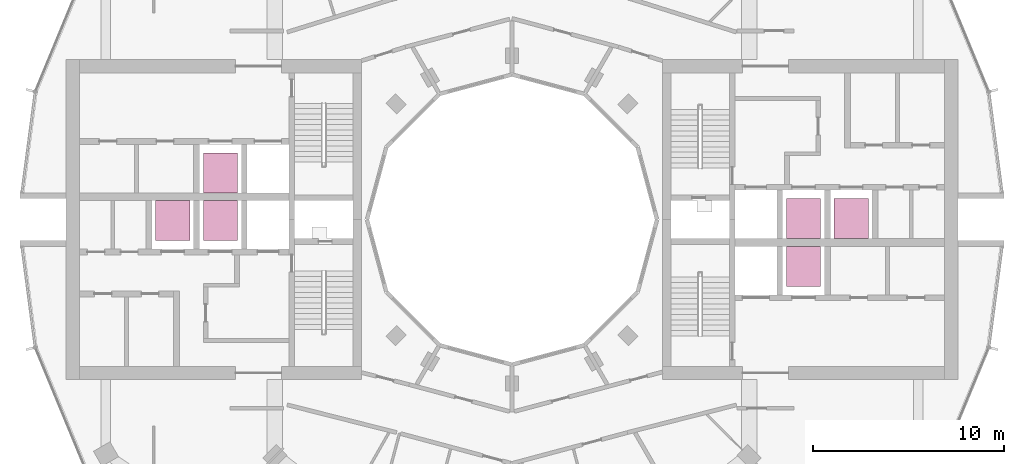
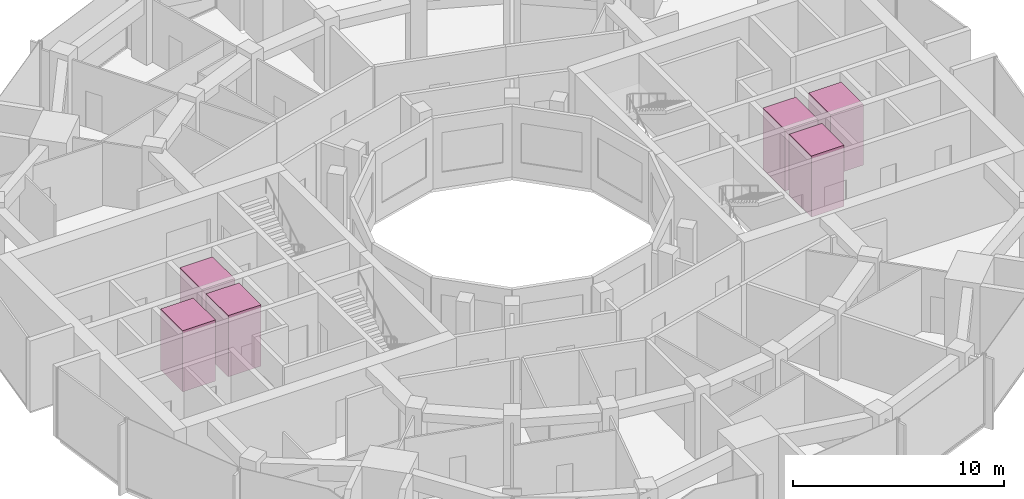
# One storey, part 15 of 15: 6 transport elements.
"""IFC4 building model written with IfcOpenShell, lengths in metres."""

import ifcopenshell
import ifcopenshell.guid

model = None  # the IFC model being written
_history = None  # IfcOwnerHistory: only IFC2X3 demands one
_inside = {}  # id of a spatial element -> (the spatial element, [elements in it])
_under = {}  # id of a project, library or spatial element -> (it, [spatial elements below it])
_declared = {}  # id of a project -> (the project, [libraries it declares])
_typed = {}  # id of a type object -> (the type object, [elements of that type])
_made_of = {}  # id of a material, layer set ... -> (it, [elements and type objects made of it])


def new_model(schema):
    """Start an empty IFC model of exactly this schema.

    Asked for "IFC4X3", IfcOpenShell would pick the latest addendum, in which some entities
    have other attributes; the version numbers below select the first issue.
    IFC2X3 requires an IfcOwnerHistory on every rooted entity: one is made here for all.
    """
    global model, _history
    if schema == "IFC4X3":
        model = ifcopenshell.file(schema_version=(4, 3, 0, 0))
    else:
        model = ifcopenshell.file(schema=schema)
    _inside.clear()
    _under.clear()
    _declared.clear()
    _typed.clear()
    _made_of.clear()
    _history = None
    if model.schema == "IFC2X3":
        org = make("IfcOrganization", Name="unknown")
        user = make(
            "IfcPersonAndOrganization",
            ThePerson=make("IfcPerson", FamilyName="unknown"),
            TheOrganization=org,
        )
        app = make(
            "IfcApplication",
            ApplicationDeveloper=org,
            Version="unknown",
            ApplicationFullName="unknown",
            ApplicationIdentifier="unknown",
        )
        _history = make(
            "IfcOwnerHistory",
            OwningUser=user,
            OwningApplication=app,
            ChangeAction="ADDED",
            CreationDate=0,
        )
    return model


def make(cls, **values):
    """One entity of the class cls with the attributes given. An attribute that is None is left unset."""
    return model.create_entity(
        cls, **{name: value for name, value in values.items() if value is not None}
    )


def rooted(cls, **values):
    """An entity with a GlobalId (a new one), such as an element, a storey or a relation."""
    return make(cls, GlobalId=ifcopenshell.guid.new(), OwnerHistory=_history, **values)


def si_unit(unit_type, name, prefix=None):
    """IfcSIUnit, for example si_unit("LENGTHUNIT", "METRE", prefix="MILLI")."""
    return make("IfcSIUnit", UnitType=unit_type, Prefix=prefix, Name=name)


def assignment(units):
    """IfcUnitAssignment: the units of a project."""
    return None if units is None else make("IfcUnitAssignment", Units=units)


def point(xyz):
    """IfcCartesianPoint."""
    return None if xyz is None else make("IfcCartesianPoint", Coordinates=xyz)


def direction(xyz):
    """IfcDirection."""
    return None if xyz is None else make("IfcDirection", DirectionRatios=xyz)


def frame(location, z_axis=None, x_axis=None):
    """IfcAxis2Placement3D, a coordinate frame: its origin and axes. An axis left out is left unset."""
    return make(
        "IfcAxis2Placement3D",
        Location=point(location),
        Axis=direction(z_axis),
        RefDirection=direction(x_axis),
    )


def frame_2d(location, x_axis=None):
    """IfcAxis2Placement2D, a coordinate frame in the plane: its origin and x axis."""
    return make(
        "IfcAxis2Placement2D", Location=point(location), RefDirection=direction(x_axis)
    )


def origin():
    """The frame at (0, 0, 0) with its axes left unset."""
    return frame((0.0, 0.0, 0.0))


def origin_2d():
    """The frame at (0, 0) in the plane with its x axis left unset."""
    return frame_2d((0.0, 0.0))


def place(relative_to, where):
    """IfcLocalPlacement: puts the frame where relative to a parent placement (None: the world)."""
    return make(
        "IfcLocalPlacement", PlacementRelTo=relative_to, RelativePlacement=where
    )


def context(
    kind, dimensions, precision=None, world=None, true_north=None, identifier=None
):
    """IfcGeometricRepresentationContext, for example the 3D "Model" context."""
    return make(
        "IfcGeometricRepresentationContext",
        ContextIdentifier=identifier,
        ContextType=kind,
        CoordinateSpaceDimension=dimensions,
        Precision=precision,
        WorldCoordinateSystem=world,
        TrueNorth=true_north,
    )


def subcontext(parent, identifier, kind, view, scale=None):
    """IfcGeometricRepresentationSubContext, for example "Body" below "Model"."""
    return make(
        "IfcGeometricRepresentationSubContext",
        ContextIdentifier=identifier,
        ContextType=kind,
        ParentContext=parent,
        TargetScale=scale,
        TargetView=view,
    )


def project(units=None, contexts=None):
    """IfcProject with its units and contexts."""
    return rooted(
        "IfcProject",
        Name="project",
        RepresentationContexts=contexts,
        UnitsInContext=assignment(units),
    )


def spatial(cls, under=None, at=None, **own):
    """A site, building, storey or space (cls), placed at a placement, below another one or the project."""
    s = rooted(cls, ObjectPlacement=at, **own)
    if under is not None:
        _under.setdefault(under.id(), (under, []))[1].append(s)
    return s


def profile(cls, at=None, kind="AREA", **sizes):
    """A parametric profile (cls). Its sizes go by their IFC names, for example OverallWidth=200.0."""
    return make(cls, ProfileType=kind, Position=at, **sizes)


def rectangle(**sizes):
    """IfcRectangleProfileDef."""
    return profile("IfcRectangleProfileDef", **sizes)


def extrude(swept, where, along, depth):
    """IfcExtrudedAreaSolid: the profile swept, set in the frame where, extruded along a direction by depth."""
    return make(
        "IfcExtrudedAreaSolid",
        SweptArea=swept,
        Position=where,
        ExtrudedDirection=direction(along),
        Depth=depth,
    )


def shape(context_of_items, identifier, shape_type, items):
    """IfcShapeRepresentation: the items that make up one representation, for example the "Body"."""
    return make(
        "IfcShapeRepresentation",
        ContextOfItems=context_of_items,
        RepresentationIdentifier=identifier,
        RepresentationType=shape_type,
        Items=items,
    )


def material(Name=None, Category=None):
    """IfcMaterial."""
    return make("IfcMaterial", Name=Name, Category=Category)


def made_of(thing, what):
    """Note that an element or type object is made of a material, layer set ...; save() writes the relation."""
    if what is not None:
        _made_of.setdefault(what.id(), (what, []))[1].append(thing)
    return thing


def type_object(cls, material=None, **own):
    """A type object (cls), such as IfcWallType, which elements share."""
    return made_of(rooted(cls, **own), material)


def element(
    cls,
    number,
    at=None,
    inside=None,
    cuts=None,
    type_object=None,
    material=None,
    context=None,
    identifier="Body",
    shape_type=None,
    held_by="IfcProductDefinitionShape",
    body=None,
    shapes=None,
    **own,
):
    """One element of the class cls, such as IfcWall. Its Tag is "e" and its number.

    at: its placement. inside: the storey or other place that contains it. cuts: it is an
    opening in that element (IfcRelVoidsElement). A single representation is given by context,
    identifier, shape_type and body (its items); several are given by shapes. held_by: the class
    of the entity that holds the representations. save() writes the other relations.
    """
    e = rooted(cls, Tag="e%d" % number, ObjectPlacement=at, **own)
    if body is not None:
        shapes = [shape(context, identifier, shape_type, body)]
    if shapes is not None:
        e.Representation = make(held_by, Representations=shapes)
    if inside is not None:
        _inside.setdefault(inside.id(), (inside, []))[1].append(e)
    if cuts is not None:
        rooted(
            "IfcRelVoidsElement", RelatingBuildingElement=cuts, RelatedOpeningElement=e
        )
    if type_object is not None:
        _typed.setdefault(type_object.id(), (type_object, []))[1].append(e)
    return made_of(e, material)


def aggregate(whole, parts):
    """IfcRelAggregates: a whole, such as a stair, and the parts it consists of."""
    return rooted("IfcRelAggregates", RelatingObject=whole, RelatedObjects=parts)


def save(model, path):
    """Write the relations noted so far, then the file.

    IfcRelAggregates (storeys below a building ...), IfcRelContainedInSpatialStructure (elements
    in a storey), IfcRelDefinesByType, IfcRelAssociatesMaterial and IfcRelDeclares: one each for
    every whole, place, type object, material and project.
    """
    for whole, parts in _under.values():
        aggregate(whole, parts)
    for where, things in _inside.values():
        rooted(
            "IfcRelContainedInSpatialStructure",
            RelatedElements=things,
            RelatingStructure=where,
        )
    for kind, things in _typed.values():
        rooted("IfcRelDefinesByType", RelatedObjects=things, RelatingType=kind)
    for what, things in _made_of.values():
        rooted("IfcRelAssociatesMaterial", RelatedObjects=things, RelatingMaterial=what)
    for by, libraries in _declared.values():
        rooted("IfcRelDeclares", RelatingContext=by, RelatedDefinitions=libraries)
    model.write(path)


model = new_model("IFC4")

# Units and contexts
model_context = context("Model", 3, precision=1e-05, world=origin(), true_north=direction((0.0, 1.0)))
body_context = subcontext(model_context, "Body", "Model", "MODEL_VIEW")
ifc_project = project(units=[si_unit("LENGTHUNIT", "METRE"), si_unit("AREAUNIT", "SQUARE_METRE"), si_unit("VOLUMEUNIT", "CUBIC_METRE"), si_unit("PLANEANGLEUNIT", "RADIAN"), si_unit("MASSUNIT", "GRAM", prefix="KILO")], contexts=[model_context])

# Site, building, storey
site_placement = place(None, origin())
site = spatial("IfcSite", under=ifc_project, at=site_placement, CompositionType="ELEMENT")
building_placement = place(site_placement, origin())
building = spatial("IfcBuilding", under=site, at=building_placement, Name="Torre Brocal", CompositionType="ELEMENT")
storey_placement = place(building_placement, frame((0.0, 0.0, 161.800048828125)))
storey = spatial("IfcBuildingStorey", under=building, at=storey_placement, Name="L37", CompositionType="ELEMENT", Elevation=161.800048828125)

# Transport elements
ifc_material = material(Name="Stainless steel AISI 316", Category="steel")
transport_element_type = type_object("IfcTransportElementType", Name="PASSENGER LIFT", PredefinedType="ELEVATOR", material=ifc_material)
for number, where, z_axis, x_axis, name in (
    (1, (95.300048828125, 75.050048828125, 0.0), (0.0, 0.0, 1.0), (1.0, 0.0, 0.0), "HIGH RISE LIFT E-HR1"),
    (2, (95.300048828125, 72.550048828125, 0.0), (0.0, 0.0, 1.0), (1.0, 0.0, 0.0), "HIGH RISE LIFT E-HR2"),
    (3, (97.800048828125, 75.050048828125, 0.0), (0.0, 0.0, 1.0), (1.0, 0.0, 0.0), "HIGH RISE LIFT E-HR3"),
    (4, (64.699951171875, 74.949951171875, 0.0), (0.0, 0.0, 1.0), (1.0, 0.0, 0.0), "HIGH RISE LIFT W-HR1"),
    (5, (64.699951171875, 77.449951171875, 0.0), (0.0, 0.0, 1.0), (1.0, 0.0, 0.0), "HIGH RISE LIFT W-HR2"),
    (6, (62.199951171875, 74.949951171875, 0.0), (0.0, 0.0, 1.0), (1.0, 0.0, 0.0), "HIGH RISE LIFT W-HR3"),
):
    element("IfcTransportElement", number, at=place(storey_placement, frame(where, z_axis=z_axis, x_axis=x_axis)), inside=storey, type_object=transport_element_type, Name=name, PredefinedType="ELEVATOR", context=body_context, shape_type="SweptSolid", body=[
        extrude(rectangle(XDim=1.800048828125, YDim=2.10009765625, at=origin_2d()), origin(), (0.0, 0.0, 1.0), 3.550048828125),
    ])

save(model, "model.ifc")
